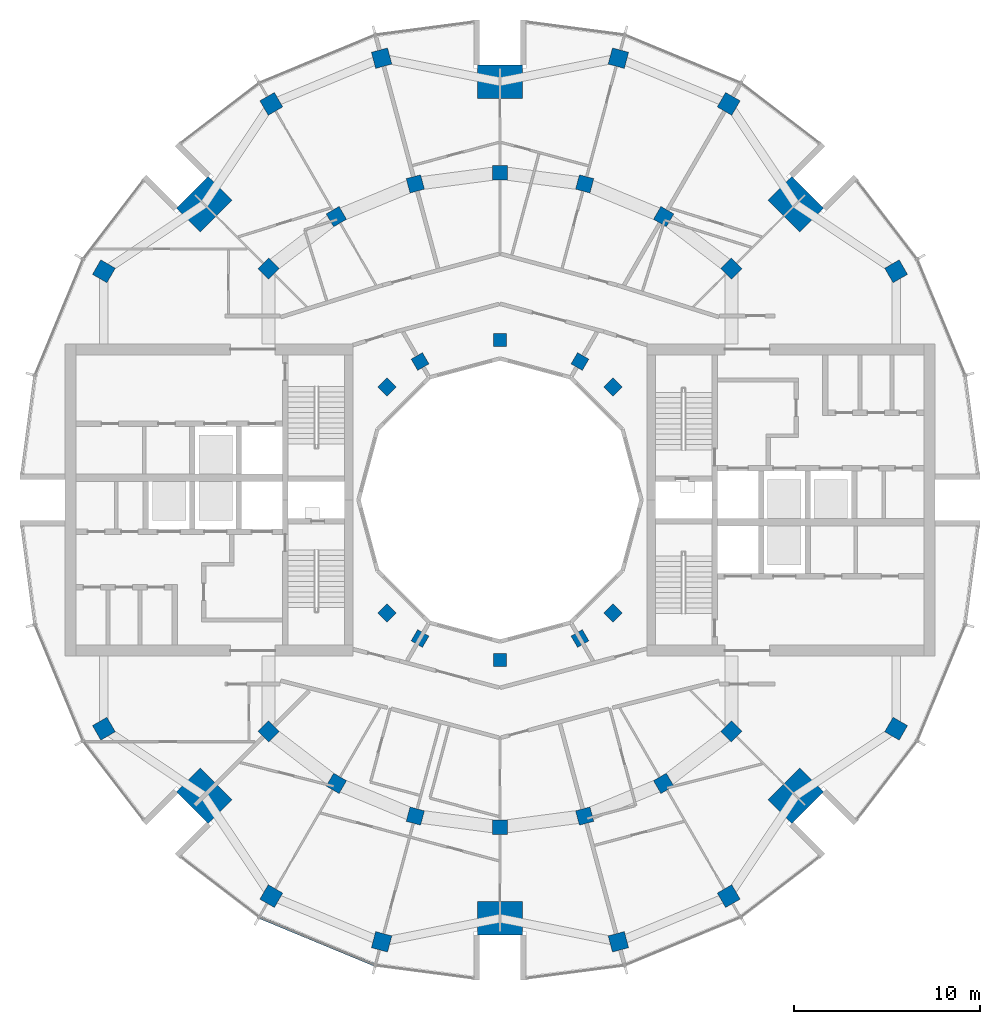
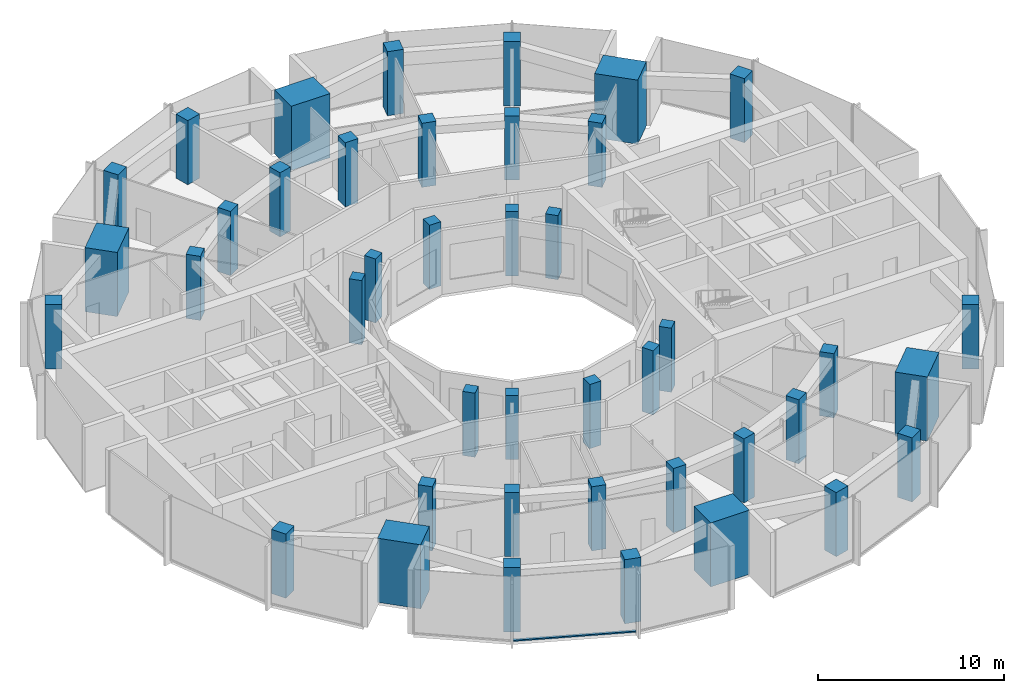
# One storey, part 1 of 15: 42 columns, 1 member, 1 element without a shape of its own.
"""IFC4 building model written with IfcOpenShell, lengths in metres."""

from ifc_helpers import new_model, si_unit, direction, frame, origin, origin_2d, place, context, subcontext, project, spatial, rectangle, extrude, material, layer, layer_set, material_profile, profile_set, type_object, element, aggregate, save


model = new_model("IFC4")

# Units and contexts
model_context = context("Model", 3, precision=1e-05, world=origin(), true_north=direction((0.0, 1.0)))
body_context = subcontext(model_context, "Body", "Model", "MODEL_VIEW")
ifc_project = project(units=[si_unit("LENGTHUNIT", "METRE"), si_unit("AREAUNIT", "SQUARE_METRE"), si_unit("VOLUMEUNIT", "CUBIC_METRE"), si_unit("PLANEANGLEUNIT", "RADIAN"), si_unit("MASSUNIT", "GRAM", prefix="KILO")], contexts=[model_context])

# Site, building, storey
site_placement = place(None, origin())
site = spatial("IfcSite", under=ifc_project, at=site_placement, CompositionType="ELEMENT")
building_placement = place(site_placement, origin())
building = spatial("IfcBuilding", under=site, at=building_placement, Name="Torre Brocal", CompositionType="ELEMENT")
storey_placement = place(building_placement, frame((0.0, 0.0, 258.300048828125)))
storey = spatial("IfcBuildingStorey", under=building, at=storey_placement, Name="L59", CompositionType="ELEMENT", Elevation=258.300048828125)

# Columns
ifc_material_1 = material(Name="Concrete C60", Category="concrete")
ifc_material_profile_1 = material_profile(ifc_material_1, rectangle(XDim=1.800048828125, YDim=2.39990234375, at=origin_2d()), Name="RC 1800X2400")
ifc_profile_set_1 = profile_set([ifc_material_profile_1], Name="Concrete C60")
column_type_1 = type_object("IfcColumnType", Name="RC COLUMN 1800X2400 C60", PredefinedType="COLUMN", material=ifc_profile_set_1)
for number, where, z_axis, x_axis, name in (
    (1, (95.909912109375, 90.909912109375, 0.0), (0.0, 0.0, 1.0), (0.707106781187, 0.707106781187, 0.0), "Column MC-1"),
    (2, (80.0, 97.5, 0.0), (0.0, 0.0, 1.0), (0.0, 1.0, 0.0), "Column MC-2"),
    (3, (64.090087890625, 90.909912109375, 0.0), (0.0, 0.0, 1.0), (-0.707106781187, 0.707106781187, 0.0), "Column MC-3"),
    (4, (64.090087890625, 59.090087890625, 0.0), (0.0, 0.0, 1.0), (-0.707106781187, -0.707106781187, 0.0), "Column MC-5"),
    (5, (80.0, 52.5, 0.0), (0.0, 0.0, 1.0), (0.0, -1.0, 0.0), "Column MC-6"),
    (6, (95.909912109375, 59.090087890625, 0.0), (0.0, 0.0, 1.0), (0.707106781187, -0.707106781187, 0.0), "Column MC-7"),
):
    element("IfcColumn", number, at=place(storey_placement, frame(where, z_axis=z_axis, x_axis=x_axis)), inside=storey, type_object=column_type_1, Name=name, PredefinedType="COLUMN", context=body_context, shape_type="SweptSolid", body=[
        extrude(rectangle(XDim=1.800048828125, YDim=2.39990234375, at=origin_2d()), origin(), (0.0, 0.0, 1.0), 4.199951171875),
    ])
ifc_material_2 = material(Name="Concrete C60", Category="concrete")
ifc_material_profile_2 = material_profile(ifc_material_2, rectangle(XDim=0.699951171875, YDim=0.699951171875, at=origin_2d()), Name="RC 700X700")
ifc_profile_set_2 = profile_set([ifc_material_profile_2], Name="Concrete C60")
column_type_2 = type_object("IfcColumnType", Name="RC COLUMN 700X700 C60", PredefinedType="COLUMN", material=ifc_profile_set_2)
for number, where, z_axis, x_axis, name in (
    (7, (86.0810546875, 81.0810546875, 0.0), (0.0, 0.0, 1.0), (0.707106781187, 0.707106781187, 0.0), "Column C-I03"),
    (8, (84.300048828125, 82.44775390625, 0.0), (0.0, 0.0, 1.0), (0.5, 0.866025403784, 0.0), "Column C-I04"),
    (9, (80.0, 83.60009765625, 0.0), (0.0, 0.0, 1.0), (0.0, 1.0, 0.0), "Column C-I06"),
    (10, (75.699951171875, 82.44775390625, 0.0), (0.0, 0.0, 1.0), (-0.5, 0.866025403784, 0.0), "Column C-I08"),
    (11, (73.9189453125, 81.0810546875, 0.0), (0.0, 0.0, 1.0), (-0.707106781187, 0.707106781187, 0.0), "Column C-I09"),
    (12, (73.9189453125, 68.9189453125, 0.0), (0.0, 0.0, 1.0), (-0.707106781187, -0.707106781187, 0.0), "Column C-I15"),
    (13, (75.699951171875, 67.55224609375, 0.0), (0.0, 0.0, 1.0), (-0.5, -0.866025403784, 0.0), "Column C-I16"),
    (14, (80.0, 66.39990234375, 0.0), (0.0, 0.0, 1.0), (0.0, -1.0, 0.0), "Column C-I18"),
    (15, (84.300048828125, 67.55224609375, 0.0), (0.0, 0.0, 1.0), (0.5, -0.866025403784, 0.0), "Column C-I20"),
    (16, (86.0810546875, 68.9189453125, 0.0), (0.0, 0.0, 1.0), (0.707106781187, -0.707106781187, 0.0), "Column C-I21"),
):
    element("IfcColumn", number, at=place(storey_placement, frame(where, z_axis=z_axis, x_axis=x_axis)), inside=storey, type_object=column_type_2, Name=name, PredefinedType="COLUMN", context=body_context, shape_type="SweptSolid", body=[
        extrude(rectangle(XDim=0.699951171875, YDim=0.699951171875, at=origin_2d()), origin(), (0.0, 0.0, 1.0), 4.199951171875),
    ])
ifc_material_3 = material(Name="Concrete C60", Category="concrete")
ifc_material_profile_3 = material_profile(ifc_material_3, rectangle(XDim=0.800048828125, YDim=0.800048828125, at=origin_2d()), Name="RC 800X800")
ifc_profile_set_3 = profile_set([ifc_material_profile_3], Name="Concrete C60")
column_type_3 = type_object("IfcColumnType", Name="RC COLUMN 800X800 C60", PredefinedType="COLUMN", material=ifc_profile_set_3)
for number, where, z_axis, x_axis, name in (
    (17, (92.445068359375, 87.445068359375, 0.0), (0.0, 0.0, 1.0), (0.707106781187, 0.707106781187, 0.0), "Column C-M03"),
    (18, (88.800048828125, 90.241943359375, 0.0), (0.0, 0.0, 1.0), (0.5, 0.866025403784, 0.0), "Column C-M04"),
    (19, (84.55517578125, 92.000244140625, 0.0), (0.0, 0.0, 1.0), (0.258819045103, 0.965925826289, 0.0), "Column C-M05"),
    (20, (80.0, 92.60009765625, 0.0), (0.0, 0.0, 1.0), (0.0, 1.0, 0.0), "Column C-M06"),
    (21, (75.44482421875, 92.000244140625, 0.0), (0.0, 0.0, 1.0), (-0.258819045103, 0.965925826289, 0.0), "Column C-M07"),
    (22, (71.199951171875, 90.241943359375, 0.0), (0.0, 0.0, 1.0), (-0.5, 0.866025403784, 0.0), "Column C-M08"),
    (23, (67.554931640625, 87.445068359375, 0.0), (0.0, 0.0, 1.0), (-0.707106781187, 0.707106781187, 0.0), "Column C-M09"),
    (24, (67.554931640625, 62.554931640625, 0.0), (0.0, 0.0, 1.0), (-0.707106781187, -0.707106781187, 0.0), "Column C-M15"),
    (25, (71.199951171875, 59.758056640625, 0.0), (0.0, 0.0, 1.0), (-0.5, -0.866025403784, 0.0), "Column C-M16"),
    (26, (75.44482421875, 57.999755859375, 0.0), (0.0, 0.0, 1.0), (-0.258819045103, -0.965925826289, 0.0), "Column C-M17"),
    (27, (80.0, 57.39990234375, 0.0), (0.0, 0.0, 1.0), (0.0, -1.0, 0.0), "Column C-M18"),
    (28, (84.55517578125, 57.999755859375, 0.0), (0.0, 0.0, 1.0), (0.258819045103, -0.965925826289, 0.0), "Column C-M19"),
    (29, (88.800048828125, 59.758056640625, 0.0), (0.0, 0.0, 1.0), (0.5, -0.866025403784, 0.0), "Column C-M20"),
    (30, (92.445068359375, 62.554931640625, 0.0), (0.0, 0.0, 1.0), (0.707106781187, -0.707106781187, 0.0), "Column C-M21"),
):
    element("IfcColumn", number, at=place(storey_placement, frame(where, z_axis=z_axis, x_axis=x_axis)), inside=storey, type_object=column_type_3, Name=name, PredefinedType="COLUMN", context=body_context, shape_type="SweptSolid", body=[
        extrude(rectangle(XDim=0.800048828125, YDim=0.800048828125, at=origin_2d()), origin(), (0.0, 0.0, 1.0), 4.199951171875),
    ])
ifc_material_4 = material(Name="Concrete C60", Category="concrete")
ifc_material_profile_4 = material_profile(ifc_material_4, rectangle(XDim=0.89990234375, YDim=0.89990234375, at=origin_2d()), Name="RC 900X900")
ifc_profile_set_4 = profile_set([ifc_material_profile_4], Name="Concrete C60")
column_type_4 = type_object("IfcColumnType", Name="RC COLUMN 900X900 C60", PredefinedType="COLUMN", material=ifc_profile_set_4)
for number, where, z_axis, x_axis, name in (
    (31, (101.30419921875, 87.300048828125, 0.0), (0.0, 0.0, 1.0), (0.866025403784, 0.5, 0.0), "Column C-O02"),
    (32, (92.300048828125, 96.30419921875, 0.0), (0.0, 0.0, 1.0), (0.5, 0.866025403784, 0.0), "Column C-O04"),
    (33, (86.366943359375, 98.76171875, 0.0), (0.0, 0.0, 1.0), (0.258819045103, 0.965925826289, 0.0), "Column C-O05"),
    (34, (73.633056640625, 98.76171875, 0.0), (0.0, 0.0, 1.0), (-0.258819045103, 0.965925826289, 0.0), "Column C-O07"),
    (35, (67.699951171875, 96.30419921875, 0.0), (0.0, 0.0, 1.0), (-0.5, 0.866025403784, 0.0), "Column C-O08"),
    (36, (58.69580078125, 87.300048828125, 0.0), (0.0, 0.0, 1.0), (-0.866025403784, 0.5, 0.0), "Column C-O10"),
    (37, (58.69580078125, 62.699951171875, 0.0), (0.0, 0.0, 1.0), (-0.866025403784, -0.5, 0.0), "Column C-O14"),
    (38, (67.699951171875, 53.69580078125, 0.0), (0.0, 0.0, 1.0), (-0.5, -0.866025403784, 0.0), "Column C-O16"),
    (39, (73.633056640625, 51.23828125, 0.0), (0.0, 0.0, 1.0), (-0.258819045103, -0.965925826289, 0.0), "Column C-O17"),
    (40, (86.366943359375, 51.23828125, 0.0), (0.0, 0.0, 1.0), (0.258819045103, -0.965925826289, 0.0), "Column C-O19"),
    (41, (92.300048828125, 53.69580078125, 0.0), (0.0, 0.0, 1.0), (0.5, -0.866025403784, 0.0), "Column C-O20"),
    (42, (101.30419921875, 62.699951171875, 0.0), (0.0, 0.0, 1.0), (0.866025403784, -0.5, 0.0), "Column C-O22"),
):
    element("IfcColumn", number, at=place(storey_placement, frame(where, z_axis=z_axis, x_axis=x_axis)), inside=storey, type_object=column_type_4, Name=name, PredefinedType="COLUMN", context=body_context, shape_type="SweptSolid", body=[
        extrude(rectangle(XDim=0.89990234375, YDim=0.89990234375, at=origin_2d()), origin(), (0.0, 0.0, 1.0), 4.199951171875),
    ])

# Curtain wall, member
ifc_material_5 = material(Name="Aluminium and glass", Category="aluminium")
ifc_layer = layer(ifc_material_5, 0.199951171875)
ifc_layer_set = layer_set([ifc_layer], Name="Aluminium and glass")
curtain_wall_type = type_object("IfcCurtainWallType", Name="CW-1 CURTAIN WALL 4200 HIGH", PredefinedType="NOTDEFINED", material=ifc_layer_set)
curtain_wall_placement = place(storey_placement, origin())
curtain_wall = element("IfcCurtainWall", 43, at=curtain_wall_placement, inside=storey, type_object=curtain_wall_type, Name="CW-1 RUN 17", PredefinedType="NOTDEFINED")
ifc_material_6 = material(Name="Aluminium, dark anodised", Category="aluminium")
ifc_material_profile_5 = material_profile(ifc_material_6, rectangle(XDim=0.159912109375, YDim=0.080078125, at=origin_2d()), Name="CW-1 TRANSOM 160X80")
ifc_profile_set_5 = profile_set([ifc_material_profile_5], Name="Aluminium, dark anodised")
member_type = type_object("IfcMemberType", Name="CW-1 TRANSOM 160X80", PredefinedType="USERDEFINED", material=ifc_profile_set_5)
member_placement = place(storey_placement, frame((67.10595703125, 52.547607421875, 0.0400390625), z_axis=(0.923887344364, -0.38266457234, 0.0), x_axis=(0.38266457234, 0.923887344364, 0.0)))
member = element("IfcMember", 44, at=member_placement, type_object=member_type, Name="CW1-5 transom 1.1", ObjectType="TRANSOM", PredefinedType="USERDEFINED", context=body_context, shape_type="SweptSolid", body=[
    extrude(rectangle(XDim=0.159912109375, YDim=0.080078125, at=origin_2d()), origin(), (0.0, 0.0, 1.0), 6.640869140625),
])
aggregate(curtain_wall, [member])

save(model, "model.ifc")
